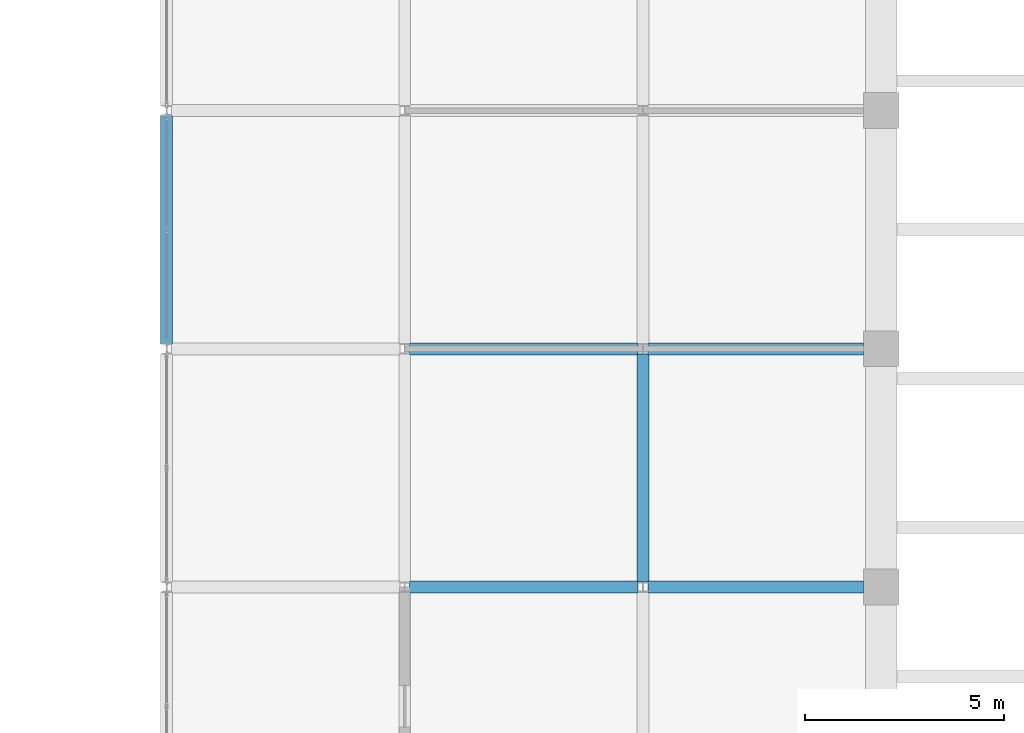
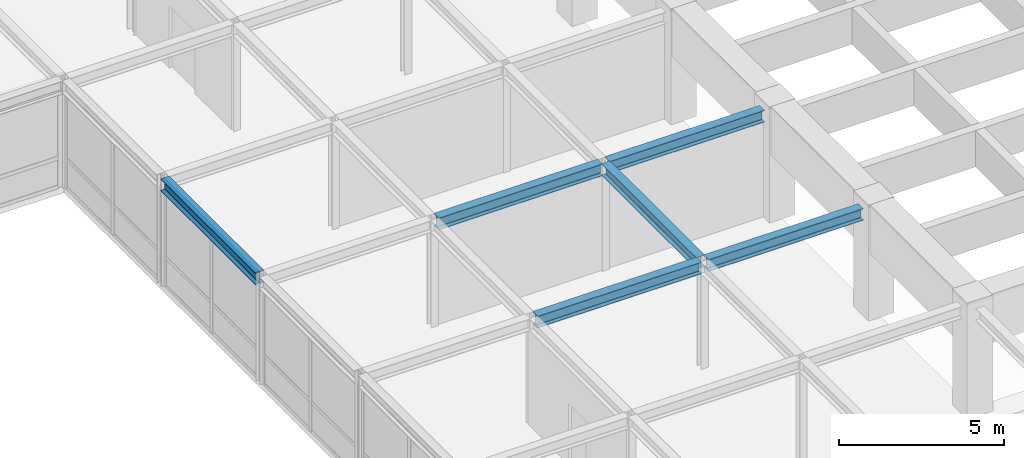
# One storey, part 52 of 111: 6 beams.
"""IFC4 building model written with IfcOpenShell, lengths in metres."""

from ifc_helpers import new_model, si_unit, direction, frame, origin, origin_2d, place, context, subcontext, project, spatial, i_section, extrude, material, material_profile, profile_set, type_object, element, save


model = new_model("IFC4")

# Units and contexts
model_context = context("Model", 3, precision=1e-05, world=origin(), true_north=direction((0.0, 1.0)))
body_context = subcontext(model_context, "Body", "Model", "MODEL_VIEW")
ifc_project = project(units=[si_unit("LENGTHUNIT", "METRE"), si_unit("AREAUNIT", "SQUARE_METRE"), si_unit("VOLUMEUNIT", "CUBIC_METRE"), si_unit("PLANEANGLEUNIT", "RADIAN"), si_unit("MASSUNIT", "GRAM", prefix="KILO")], contexts=[model_context])

# Site, building, storey
site_placement = place(None, origin())
site = spatial("IfcSite", under=ifc_project, at=site_placement, CompositionType="ELEMENT")
building_placement = place(site_placement, origin())
building = spatial("IfcBuilding", under=site, at=building_placement, Name="Zlatovratsky Civic Hall", CompositionType="ELEMENT")
storey_placement = place(building_placement, frame((0.0, 0.0, 16.5)))
storey = spatial("IfcBuildingStorey", under=building, at=storey_placement, Name="L04", CompositionType="ELEMENT", Elevation=16.5)

# Beams
ifc_material = material(Name="Steel S355", Category="steel")
ifc_material_profile = material_profile(ifc_material, i_section(OverallWidth=0.300048828125, OverallDepth=0.43994140625, WebThickness=0.010986328125, FlangeThickness=0.01806640625, FilletRadius=0.02197265625, at=origin_2d()), Name="45Sh1")
ifc_profile_set = profile_set([ifc_material_profile], Name="Steel S355")
beam_type = type_object("IfcBeamType", Name="Beam_TowerLow_45Sh1", PredefinedType="BEAM", material=ifc_profile_set)
beam_1_placement = place(storey_placement, frame((54.125, 48.0, 3.780029296875), z_axis=(1.0, 0.0, 0.0), x_axis=(0.0, 1.0, 0.0)))
element("IfcBeam", 1, at=beam_1_placement, inside=storey, type_object=beam_type, Name="BM-3303", PredefinedType="BEAM", context=body_context, shape_type="SweptSolid", body=[
    extrude(i_section(OverallWidth=0.300048828125, OverallDepth=0.43994140625, WebThickness=0.010986328125, FlangeThickness=0.01806640625, FilletRadius=0.02197265625, at=origin_2d()), origin(), (0.0, 0.0, 1.0), 5.75),
])
beam_2_placement = place(storey_placement, frame((60.125, 48.0, 3.780029296875), z_axis=(1.0, 0.0, 0.0), x_axis=(0.0, 1.0, 0.0)))
element("IfcBeam", 2, at=beam_2_placement, inside=storey, type_object=beam_type, Name="BM-3304", PredefinedType="BEAM", context=body_context, shape_type="SweptSolid", body=[
    extrude(i_section(OverallWidth=0.300048828125, OverallDepth=0.43994140625, WebThickness=0.010986328125, FlangeThickness=0.01806640625, FilletRadius=0.02197265625, at=origin_2d()), origin(), (0.0, 0.0, 1.0), 5.425048828125),
])
beam_3_placement = place(storey_placement, frame((54.125, 54.0, 3.780029296875), z_axis=(1.0, 0.0, 0.0), x_axis=(0.0, 1.0, 0.0)))
element("IfcBeam", 3, at=beam_3_placement, inside=storey, type_object=beam_type, Name="BM-3313", PredefinedType="BEAM", context=body_context, shape_type="SweptSolid", body=[
    extrude(i_section(OverallWidth=0.300048828125, OverallDepth=0.43994140625, WebThickness=0.010986328125, FlangeThickness=0.01806640625, FilletRadius=0.02197265625, at=origin_2d()), origin(), (0.0, 0.0, 1.0), 5.75),
])
beam_4_placement = place(storey_placement, frame((60.125, 54.0, 3.780029296875), z_axis=(1.0, 0.0, 0.0), x_axis=(0.0, 1.0, 0.0)))
element("IfcBeam", 4, at=beam_4_placement, inside=storey, type_object=beam_type, Name="BM-3314", PredefinedType="BEAM", context=body_context, shape_type="SweptSolid", body=[
    extrude(i_section(OverallWidth=0.300048828125, OverallDepth=0.43994140625, WebThickness=0.010986328125, FlangeThickness=0.01806640625, FilletRadius=0.02197265625, at=origin_2d()), origin(), (0.0, 0.0, 1.0), 5.425048828125),
])
for number, where, z_axis, x_axis, name in (
    (5, (48.0, 54.125, 3.780029296875), (0.0, 1.0, 0.0), (-1.0, 0.0, 0.0), "BM-3592"),
    (6, (60.0, 48.125, 3.780029296875), (0.0, 1.0, 0.0), (-1.0, 0.0, 0.0), "BM-3624"),
):
    element("IfcBeam", number, at=place(storey_placement, frame(where, z_axis=z_axis, x_axis=x_axis)), inside=storey, type_object=beam_type, Name=name, PredefinedType="BEAM", context=body_context, shape_type="SweptSolid", body=[
        extrude(i_section(OverallWidth=0.300048828125, OverallDepth=0.43994140625, WebThickness=0.010986328125, FlangeThickness=0.01806640625, FilletRadius=0.02197265625, at=origin_2d()), origin(), (0.0, 0.0, 1.0), 5.75),
    ])

save(model, "model.ifc")
